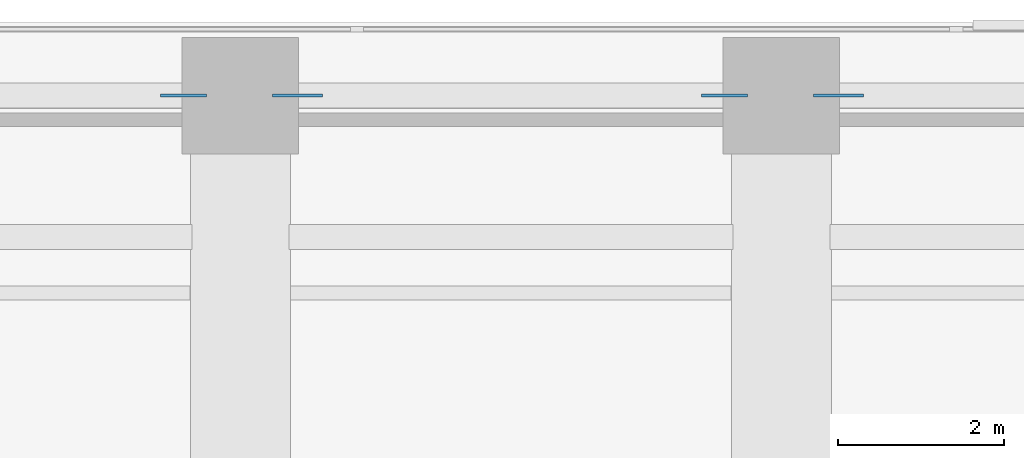
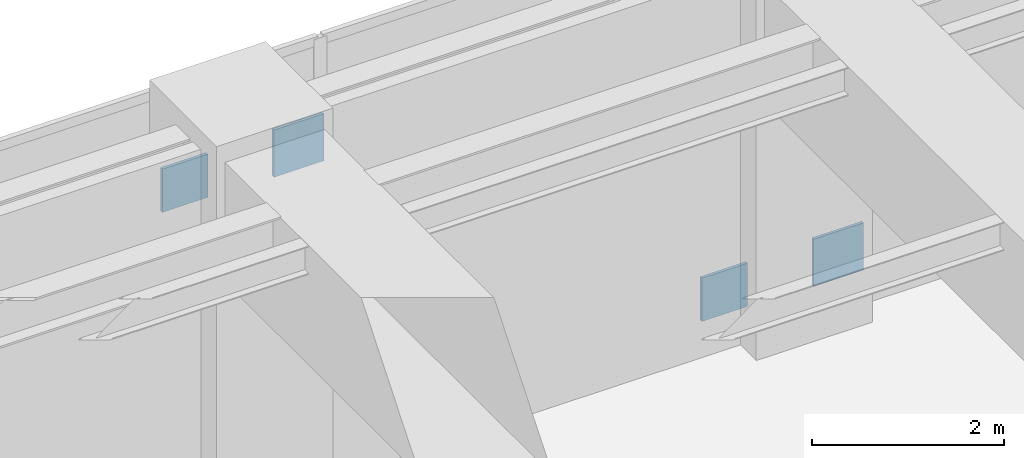
# One storey, part 22 of 31: 4 plates.
"""IFC4 building model written with IfcOpenShell, lengths in metres."""

from ifc_helpers import new_model, si_unit, direction, frame, origin, origin_2d, place, context, subcontext, project, spatial, rectangle, extrude, material, layer, layer_set, type_object, element, save


model = new_model("IFC4")

# Units and contexts
model_context = context("Model", 3, precision=1e-05, world=origin(), true_north=direction((0.0, 1.0)))
body_context = subcontext(model_context, "Body", "Model", "MODEL_VIEW")
ifc_project = project(units=[si_unit("LENGTHUNIT", "METRE"), si_unit("AREAUNIT", "SQUARE_METRE"), si_unit("VOLUMEUNIT", "CUBIC_METRE"), si_unit("PLANEANGLEUNIT", "RADIAN"), si_unit("MASSUNIT", "GRAM", prefix="KILO")], contexts=[model_context])

# Site, building, storey
site_placement = place(None, origin())
site = spatial("IfcSite", under=ifc_project, at=site_placement, CompositionType="ELEMENT")
building_placement = place(site_placement, origin())
building = spatial("IfcBuilding", under=site, at=building_placement, Name="Putna Gate Headquarters", CompositionType="ELEMENT")
storey_placement = place(building_placement, frame((0.0, 0.0, 81.0)))
storey = spatial("IfcBuildingStorey", under=building, at=storey_placement, Name="L19", CompositionType="ELEMENT", Elevation=81.0)

# Plates
ifc_material = material(Name="Steel S460M", Category="steel")
ifc_layer_1 = layer(ifc_material, 0.035888671875)
ifc_layer_set_1 = layer_set([ifc_layer_1], Name="Steel S460M")
plate_type_1 = type_object("IfcPlateType", Name="PLT-NODE-BN1", PredefinedType="SHEET", material=ifc_layer_set_1)
for number, where, z_axis, x_axis, name in (
    (1, (52.68505859375, 51.1201171875, 3.81494140625), (0.0, 0.0, 1.0), (1.0, 0.0, 0.0), "L19 Belt Truss Node Gusset Plate N8-E1"),
    (2, (59.18505859375, 51.1201171875, 0.14990234375), (0.0, 0.0, 1.0), (1.0, 0.0, 0.0), "L19 Belt Truss Node Gusset Plate N9-E1"),
):
    element("IfcPlate", number, at=place(storey_placement, frame(where, z_axis=z_axis, x_axis=x_axis)), inside=storey, type_object=plate_type_1, Name=name, PredefinedType="SHEET", context=body_context, shape_type="SweptSolid", body=[
        extrude(rectangle(XDim=0.60009765625, YDim=0.035888671875, at=origin_2d()), origin(), (0.0, 0.0, 1.0), 0.60009765625),
    ])
ifc_layer_2 = layer(ifc_material, 0.035888671875)
ifc_layer_set_2 = layer_set([ifc_layer_2], Name="Steel S460M")
plate_type_2 = type_object("IfcPlateType", Name="PLT-NODE-BN2", PredefinedType="SHEET", material=ifc_layer_set_2)
for number, where, z_axis, x_axis, name in (
    (3, (51.31494140625, 51.1201171875, 3.83984375), (0.0, 0.0, 1.0), (1.0, 0.0, 0.0), "L19 Belt Truss Node Gusset Plate N7-E2"),
    (4, (57.81494140625, 51.1201171875, 0.1748046875), (0.0, 0.0, 1.0), (1.0, 0.0, 0.0), "L19 Belt Truss Node Gusset Plate N8-E2"),
):
    element("IfcPlate", number, at=place(storey_placement, frame(where, z_axis=z_axis, x_axis=x_axis)), inside=storey, type_object=plate_type_2, Name=name, PredefinedType="SHEET", context=body_context, shape_type="SweptSolid", body=[
        extrude(rectangle(XDim=0.550048828125, YDim=0.035888671875, at=origin_2d()), origin(), (0.0, 0.0, 1.0), 0.550048828125),
    ])

save(model, "model.ifc")
